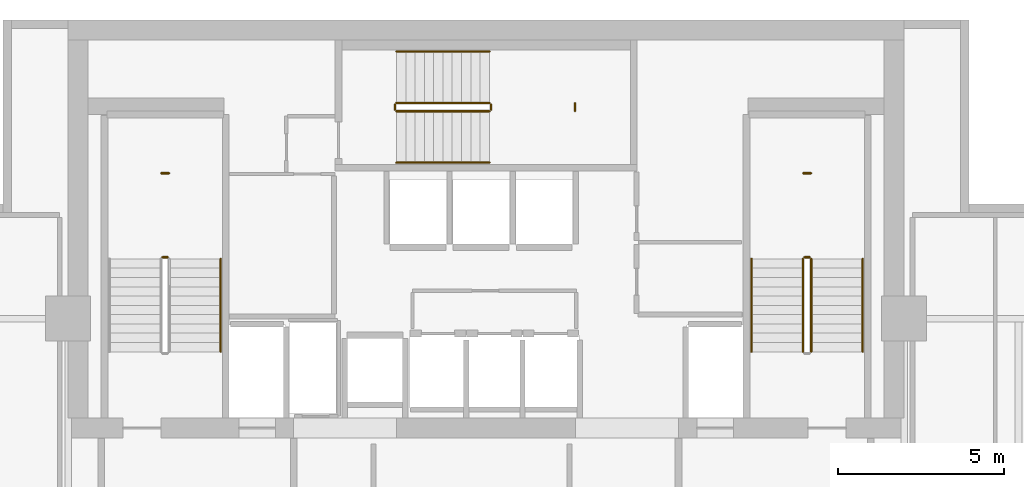
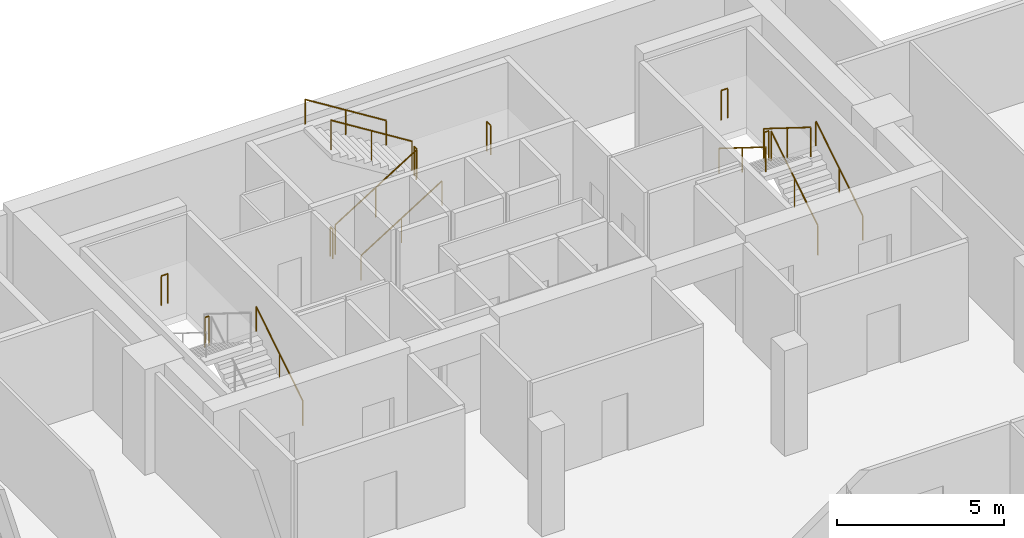
# One storey, part 23 of 23: 16 railings.
"""IFC4 building model written with IfcOpenShell, lengths in metres."""

from ifc_helpers import new_model, si_unit, direction, frame, origin, origin_2d, place, context, subcontext, project, spatial, circle, extrude, material, type_object, element, save


model = new_model("IFC4")

# Units and contexts
model_context = context("Model", 3, precision=1e-05, world=origin(), true_north=direction((0.0, 1.0)))
body_context = subcontext(model_context, "Body", "Model", "MODEL_VIEW")
ifc_project = project(units=[si_unit("LENGTHUNIT", "METRE"), si_unit("AREAUNIT", "SQUARE_METRE"), si_unit("VOLUMEUNIT", "CUBIC_METRE"), si_unit("PLANEANGLEUNIT", "RADIAN"), si_unit("MASSUNIT", "GRAM", prefix="KILO")], contexts=[model_context])

# Site, building, storey
site_placement = place(None, origin())
site = spatial("IfcSite", under=ifc_project, at=site_placement, CompositionType="ELEMENT")
building_placement = place(site_placement, origin())
building = spatial("IfcBuilding", under=site, at=building_placement, Name="Maruvema Waterfront Hotel and Observation Tower", CompositionType="ELEMENT")
storey_placement = place(building_placement, frame((0.0, 0.0, 341.25)))
storey = spatial("IfcBuildingStorey", under=building, at=storey_placement, Name="L84", CompositionType="ELEMENT", Elevation=341.25)

# Railings
ifc_material_1 = material(Name="Brushed stainless steel Grade 316", Category="steel")
railing_type_1 = type_object("IfcRailingType", Name="Ramp Continuous Wall Handrail 920 mm", PredefinedType="HANDRAIL", material=ifc_material_1)
railing_1_placement = place(storey_placement, frame((29.800048828125, 44.0, 0.175048828125)))
element("IfcRailing", 1, at=railing_1_placement, inside=storey, type_object=railing_type_1, Name="L84 ST-01 stair handrail 1", PredefinedType="HANDRAIL", context=body_context, shape_type="SweptSolid", body=[
    extrude(circle(Radius=0.02392578125, at=origin_2d()), frame((0.0, 0.0, 0.89599609375), z_axis=(0.0, 0.848002457836, 0.529992293815), x_axis=(-1.0, 0.0, 0.0)), (0.0, 0.0, 1.0), 3.302001953125),
    extrude(circle(Radius=0.02099609375, at=origin_2d()), origin(), (0.0, 0.0, 1.0), 0.871826171875),
    extrude(circle(Radius=0.02099609375, at=origin_2d()), frame((0.0, 1.39990234375, 0.875)), (0.0, 0.0, 1.0), 0.871826171875),
    extrude(circle(Radius=0.02099609375, at=origin_2d()), frame((0.0, 2.800048828125, 1.75)), (0.0, 0.0, 1.0), 0.871826171875),
])
railing_2_placement = place(storey_placement, frame((35.10009765625, 49.699951171875, 0.175048828125)))
element("IfcRailing", 2, at=railing_2_placement, inside=storey, type_object=railing_type_1, Name="L84 ST-02 stair handrail 1", PredefinedType="HANDRAIL", context=body_context, shape_type="SweptSolid", body=[
    extrude(circle(Radius=0.02392578125, at=origin_2d()), frame((0.0, 0.0, 0.89599609375), z_axis=(0.847981687118, 0.0, 0.530025526095), x_axis=(0.0, 1.0, 0.0)), (0.0, 0.0, 1.0), 3.3017578125),
    extrude(circle(Radius=0.02099609375, at=origin_2d()), origin(), (0.0, 0.0, 1.0), 0.871826171875),
    extrude(circle(Radius=0.02099609375, at=origin_2d()), frame((1.39990234375, 0.0, 0.875)), (0.0, 0.0, 1.0), 0.871826171875),
    extrude(circle(Radius=0.02099609375, at=origin_2d()), frame((2.7998046875, 0.0, 1.75)), (0.0, 0.0, 1.0), 0.871826171875),
])
railing_3_placement = place(storey_placement, frame((37.89990234375, 53.050048828125, 2.10009765625)))
element("IfcRailing", 3, at=railing_3_placement, inside=storey, type_object=railing_type_1, Name="L84 ST-02 stair handrail 2", PredefinedType="HANDRAIL", context=body_context, shape_type="SweptSolid", body=[
    extrude(circle(Radius=0.02392578125, at=origin_2d()), frame((0.0, 0.0, 0.89599609375), z_axis=(-0.847981687118, 0.0, 0.530025526095), x_axis=(0.0, -1.0, 0.0)), (0.0, 0.0, 1.0), 3.3017578125),
    extrude(circle(Radius=0.02099609375, at=origin_2d()), origin(), (0.0, 0.0, 1.0), 0.871826171875),
    extrude(circle(Radius=0.02099609375, at=origin_2d()), frame((-1.39990234375, 0.0, 0.875)), (0.0, 0.0, 1.0), 0.871826171875),
    extrude(circle(Radius=0.02099609375, at=origin_2d()), frame((-2.7998046875, 0.0, 1.75)), (0.0, 0.0, 1.0), 0.871826171875),
])
railing_4_placement = place(storey_placement, frame((49.14990234375, 44.0, 0.175048828125)))
element("IfcRailing", 4, at=railing_4_placement, inside=storey, type_object=railing_type_1, Name="L84 ST-03 stair handrail 1", PredefinedType="HANDRAIL", context=body_context, shape_type="SweptSolid", body=[
    extrude(circle(Radius=0.02392578125, at=origin_2d()), frame((0.0, 0.0, 0.89599609375), z_axis=(0.0, 0.848002457836, 0.529992293815), x_axis=(-1.0, 0.0, 0.0)), (0.0, 0.0, 1.0), 3.302001953125),
    extrude(circle(Radius=0.02099609375, at=origin_2d()), origin(), (0.0, 0.0, 1.0), 0.871826171875),
    extrude(circle(Radius=0.02099609375, at=origin_2d()), frame((0.0, 1.39990234375, 0.875)), (0.0, 0.0, 1.0), 0.871826171875),
    extrude(circle(Radius=0.02099609375, at=origin_2d()), frame((0.0, 2.800048828125, 1.75)), (0.0, 0.0, 1.0), 0.871826171875),
])
railing_5_placement = place(storey_placement, frame((45.800048828125, 46.800048828125, 2.10009765625)))
element("IfcRailing", 5, at=railing_5_placement, inside=storey, type_object=railing_type_1, Name="L84 ST-03 stair handrail 2", PredefinedType="HANDRAIL", context=body_context, shape_type="SweptSolid", body=[
    extrude(circle(Radius=0.02392578125, at=origin_2d()), frame((0.0, 0.0, 0.89599609375), z_axis=(0.0, -0.848002457836, 0.529992293815), x_axis=(1.0, 0.0, 0.0)), (0.0, 0.0, 1.0), 3.302001953125),
    extrude(circle(Radius=0.02099609375, at=origin_2d()), origin(), (0.0, 0.0, 1.0), 0.871826171875),
    extrude(circle(Radius=0.02099609375, at=origin_2d()), frame((0.0, -1.39990234375, 0.875)), (0.0, 0.0, 1.0), 0.871826171875),
    extrude(circle(Radius=0.02099609375, at=origin_2d()), frame((0.0, -2.800048828125, 1.75)), (0.0, 0.0, 1.0), 0.871826171875),
])
ifc_material_2 = material(Name="Brushed stainless steel Grade 316", Category="steel")
railing_type_2 = type_object("IfcRailingType", Name="Ramp and Terrace Guard Balustrade 1100 mm", PredefinedType="BALUSTRADE", material=ifc_material_2)
railing_6_placement = place(storey_placement, frame((28.199951171875, 46.85009765625, 1.925048828125)))
element("IfcRailing", 6, at=railing_6_placement, inside=storey, type_object=railing_type_2, Name="L84 ST-01 stair guard 2", PredefinedType="BALUSTRADE", context=body_context, shape_type="SweptSolid", body=[
    extrude(circle(Radius=0.02392578125, at=origin_2d()), frame((0.0, 0.0, 1.076171875), z_axis=(-1.0, 0.0, 0.0), x_axis=(0.0, -1.0, 0.0)), (0.0, 0.0, 1.0), 0.14990234375),
    extrude(circle(Radius=0.02099609375, at=origin_2d()), origin(), (0.0, 0.0, 1.0), 1.052001953125),
    extrude(circle(Radius=0.02099609375, at=origin_2d()), frame((-0.14990234375, 0.0, 0.0)), (0.0, 0.0, 1.0), 1.052001953125),
])
railing_7_placement = place(storey_placement, frame((28.239990234375, 49.3798828125, 1.925048828125)))
element("IfcRailing", 7, at=railing_7_placement, inside=storey, type_object=railing_type_2, Name="L84 ST-01 Half-Landing Slot Guard", PredefinedType="BALUSTRADE", context=body_context, shape_type="SweptSolid", body=[
    extrude(circle(Radius=0.02392578125, at=origin_2d()), frame((0.0, 0.0, 1.076171875), z_axis=(-1.0, 0.0, 0.0), x_axis=(0.0, -1.0, 0.0)), (0.0, 0.0, 1.0), 0.22998046875),
    extrude(circle(Radius=0.02099609375, at=origin_2d()), origin(), (0.0, 0.0, 1.0), 1.052001953125),
    extrude(circle(Radius=0.02099609375, at=origin_2d()), frame((-0.22998046875, 0.0, 0.0)), (0.0, 0.0, 1.0), 1.052001953125),
])
railing_8_placement = place(storey_placement, frame((35.10009765625, 51.25, 0.175048828125)))
element("IfcRailing", 8, at=railing_8_placement, inside=storey, type_object=railing_type_2, Name="L84 ST-02 stair guard 1", PredefinedType="BALUSTRADE", context=body_context, shape_type="SweptSolid", body=[
    extrude(circle(Radius=0.02392578125, at=origin_2d()), frame((0.0, 0.0, 1.076171875), z_axis=(0.847981687118, 0.0, 0.530025526095), x_axis=(0.0, 1.0, 0.0)), (0.0, 0.0, 1.0), 3.3017578125),
    extrude(circle(Radius=0.02099609375, at=origin_2d()), origin(), (0.0, 0.0, 1.0), 1.052001953125),
    extrude(circle(Radius=0.02099609375, at=origin_2d()), frame((1.39990234375, 0.0, 0.875)), (0.0, 0.0, 1.0), 1.052001953125),
    extrude(circle(Radius=0.02099609375, at=origin_2d()), frame((2.7998046875, 0.0, 1.75)), (0.0, 0.0, 1.0), 1.052001953125),
])
railing_9_placement = place(storey_placement, frame((37.949951171875, 51.300048828125, 1.925048828125)))
element("IfcRailing", 9, at=railing_9_placement, inside=storey, type_object=railing_type_2, Name="L84 ST-02 stair guard 2", PredefinedType="BALUSTRADE", context=body_context, shape_type="SweptSolid", body=[
    extrude(circle(Radius=0.02392578125, at=origin_2d()), frame((0.0, 0.0, 1.076171875), z_axis=(0.0, 1.0, 0.0), x_axis=(-1.0, 0.0, 0.0)), (0.0, 0.0, 1.0), 0.14990234375),
    extrude(circle(Radius=0.02099609375, at=origin_2d()), origin(), (0.0, 0.0, 1.0), 1.052001953125),
    extrude(circle(Radius=0.02099609375, at=origin_2d()), frame((0.0, 0.14990234375, 0.0)), (0.0, 0.0, 1.0), 1.052001953125),
])
railing_10_placement = place(storey_placement, frame((37.89990234375, 51.5, 2.10009765625)))
element("IfcRailing", 10, at=railing_10_placement, inside=storey, type_object=railing_type_2, Name="L84 ST-02 stair guard 3", PredefinedType="BALUSTRADE", context=body_context, shape_type="SweptSolid", body=[
    extrude(circle(Radius=0.02392578125, at=origin_2d()), frame((0.0, 0.0, 1.076171875), z_axis=(-0.847981687118, 0.0, 0.530025526095), x_axis=(0.0, -1.0, 0.0)), (0.0, 0.0, 1.0), 3.3017578125),
    extrude(circle(Radius=0.02099609375, at=origin_2d()), origin(), (0.0, 0.0, 1.0), 1.052001953125),
    extrude(circle(Radius=0.02099609375, at=origin_2d()), frame((-1.39990234375, 0.0, 0.875)), (0.0, 0.0, 1.0), 1.052001953125),
    extrude(circle(Radius=0.02099609375, at=origin_2d()), frame((-2.7998046875, 0.0, 1.75)), (0.0, 0.0, 1.0), 1.052001953125),
])
railing_11_placement = place(storey_placement, frame((35.050048828125, 51.300048828125, 0.0)))
element("IfcRailing", 11, at=railing_11_placement, inside=storey, type_object=railing_type_2, Name="L84 ST-02 stair guard 4", PredefinedType="BALUSTRADE", context=body_context, shape_type="SweptSolid", body=[
    extrude(circle(Radius=0.02392578125, at=origin_2d()), frame((0.0, 0.0, 1.076171875), z_axis=(0.0, 1.0, 0.0), x_axis=(-1.0, 0.0, 0.0)), (0.0, 0.0, 1.0), 0.14990234375),
    extrude(circle(Radius=0.02099609375, at=origin_2d()), origin(), (0.0, 0.0, 1.0), 1.052001953125),
    extrude(circle(Radius=0.02099609375, at=origin_2d()), frame((0.0, 0.14990234375, 0.0)), (0.0, 0.0, 1.0), 1.052001953125),
])
railing_12_placement = place(storey_placement, frame((40.47998046875, 51.260009765625, 1.925048828125)))
element("IfcRailing", 12, at=railing_12_placement, inside=storey, type_object=railing_type_2, Name="L84 ST-02 Half-Landing Slot Guard", PredefinedType="BALUSTRADE", context=body_context, shape_type="SweptSolid", body=[
    extrude(circle(Radius=0.02392578125, at=origin_2d()), frame((0.0, 0.0, 1.076171875), z_axis=(0.0, 1.0, 0.0), x_axis=(-1.0, 0.0, 0.0)), (0.0, 0.0, 1.0), 0.22998046875),
    extrude(circle(Radius=0.02099609375, at=origin_2d()), origin(), (0.0, 0.0, 1.0), 1.052001953125),
    extrude(circle(Radius=0.02099609375, at=origin_2d()), frame((0.0, 0.22998046875, 0.0)), (0.0, 0.0, 1.0), 1.052001953125),
])
railing_13_placement = place(storey_placement, frame((47.60009765625, 44.0, 0.175048828125)))
element("IfcRailing", 13, at=railing_13_placement, inside=storey, type_object=railing_type_2, Name="L84 ST-03 stair guard 1", PredefinedType="BALUSTRADE", context=body_context, shape_type="SweptSolid", body=[
    extrude(circle(Radius=0.02392578125, at=origin_2d()), frame((0.0, 0.0, 1.076171875), z_axis=(0.0, 0.848002457836, 0.529992293815), x_axis=(-1.0, 0.0, 0.0)), (0.0, 0.0, 1.0), 3.302001953125),
    extrude(circle(Radius=0.02099609375, at=origin_2d()), origin(), (0.0, 0.0, 1.0), 1.052001953125),
    extrude(circle(Radius=0.02099609375, at=origin_2d()), frame((0.0, 1.39990234375, 0.875)), (0.0, 0.0, 1.0), 1.052001953125),
    extrude(circle(Radius=0.02099609375, at=origin_2d()), frame((0.0, 2.800048828125, 1.75)), (0.0, 0.0, 1.0), 1.052001953125),
])
railing_14_placement = place(storey_placement, frame((47.550048828125, 46.85009765625, 1.925048828125)))
element("IfcRailing", 14, at=railing_14_placement, inside=storey, type_object=railing_type_2, Name="L84 ST-03 stair guard 2", PredefinedType="BALUSTRADE", context=body_context, shape_type="SweptSolid", body=[
    extrude(circle(Radius=0.02392578125, at=origin_2d()), frame((0.0, 0.0, 1.076171875), z_axis=(-1.0, 0.0, 0.0), x_axis=(0.0, -1.0, 0.0)), (0.0, 0.0, 1.0), 0.150146484375),
    extrude(circle(Radius=0.02099609375, at=origin_2d()), origin(), (0.0, 0.0, 1.0), 1.052001953125),
    extrude(circle(Radius=0.02099609375, at=origin_2d()), frame((-0.150146484375, 0.0, 0.0)), (0.0, 0.0, 1.0), 1.052001953125),
])
railing_15_placement = place(storey_placement, frame((47.35009765625, 46.800048828125, 2.10009765625)))
element("IfcRailing", 15, at=railing_15_placement, inside=storey, type_object=railing_type_2, Name="L84 ST-03 stair guard 3", PredefinedType="BALUSTRADE", context=body_context, shape_type="SweptSolid", body=[
    extrude(circle(Radius=0.02392578125, at=origin_2d()), frame((0.0, 0.0, 1.076171875), z_axis=(0.0, -0.848002457836, 0.529992293815), x_axis=(1.0, 0.0, 0.0)), (0.0, 0.0, 1.0), 3.302001953125),
    extrude(circle(Radius=0.02099609375, at=origin_2d()), origin(), (0.0, 0.0, 1.0), 1.052001953125),
    extrude(circle(Radius=0.02099609375, at=origin_2d()), frame((0.0, -1.39990234375, 0.875)), (0.0, 0.0, 1.0), 1.052001953125),
    extrude(circle(Radius=0.02099609375, at=origin_2d()), frame((0.0, -2.800048828125, 1.75)), (0.0, 0.0, 1.0), 1.052001953125),
])
railing_16_placement = place(storey_placement, frame((47.590087890625, 49.3798828125, 1.925048828125)))
element("IfcRailing", 16, at=railing_16_placement, inside=storey, type_object=railing_type_2, Name="L84 ST-03 Half-Landing Slot Guard", PredefinedType="BALUSTRADE", context=body_context, shape_type="SweptSolid", body=[
    extrude(circle(Radius=0.02392578125, at=origin_2d()), frame((0.0, 0.0, 1.076171875), z_axis=(-1.0, 0.0, 0.0), x_axis=(0.0, -1.0, 0.0)), (0.0, 0.0, 1.0), 0.22998046875),
    extrude(circle(Radius=0.02099609375, at=origin_2d()), origin(), (0.0, 0.0, 1.0), 1.052001953125),
    extrude(circle(Radius=0.02099609375, at=origin_2d()), frame((-0.22998046875, 0.0, 0.0)), (0.0, 0.0, 1.0), 1.052001953125),
])

save(model, "model.ifc")
